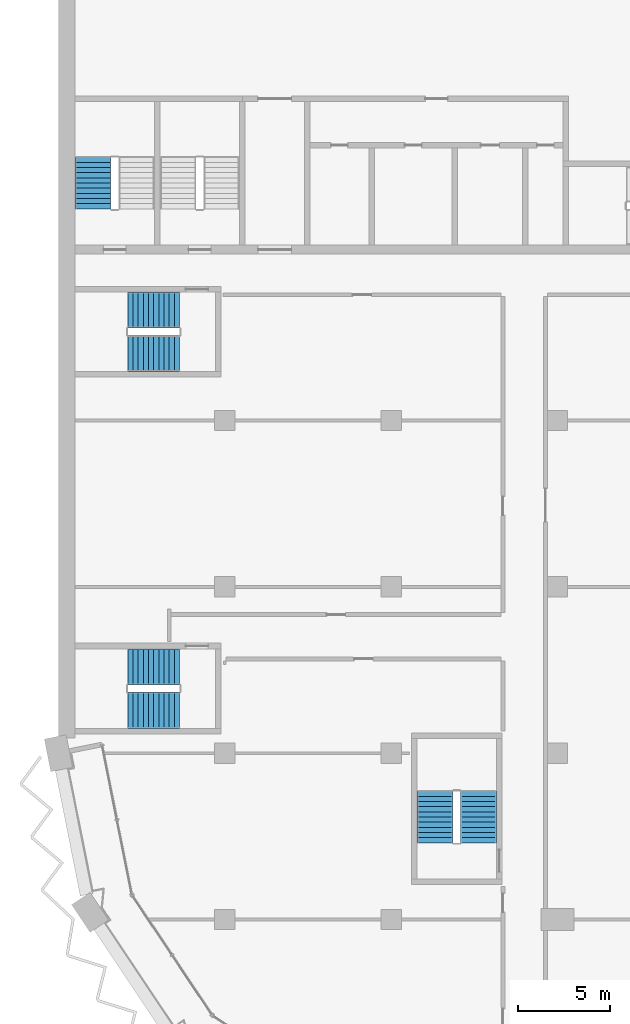
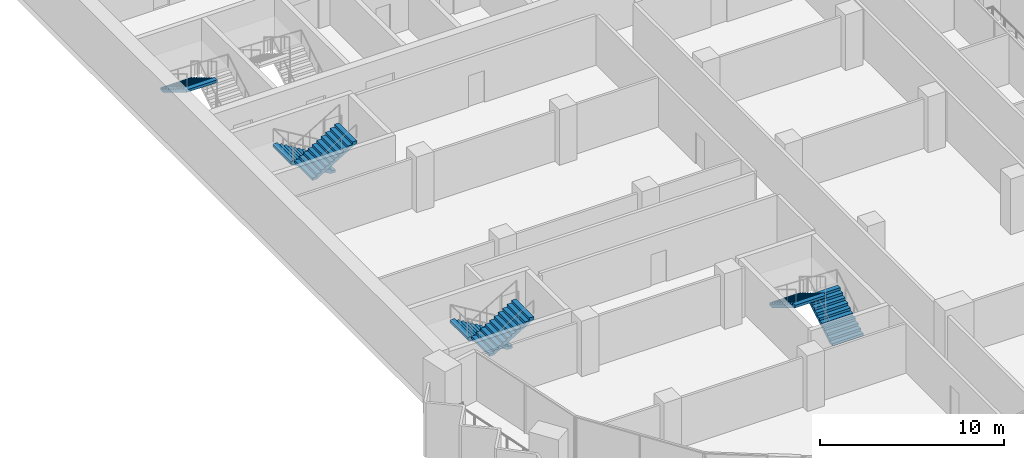
# One storey, part 11 of 17: 7 stair flights, 4 elements without a shape of their own.
"""IFC4 building model written with IfcOpenShell, lengths in metres."""

from ifc_helpers import new_model, si_unit, direction, frame, origin, place, context, subcontext, project, spatial, polyline, outline, extrude, material, type_object, element, aggregate, save


model = new_model("IFC4")

# Units and contexts
model_context = context("Model", 3, precision=1e-05, world=origin(), true_north=direction((0.0, 1.0)))
body_context = subcontext(model_context, "Body", "Model", "MODEL_VIEW")
ifc_project = project(units=[si_unit("LENGTHUNIT", "METRE"), si_unit("AREAUNIT", "SQUARE_METRE"), si_unit("VOLUMEUNIT", "CUBIC_METRE"), si_unit("PLANEANGLEUNIT", "RADIAN"), si_unit("MASSUNIT", "GRAM", prefix="KILO")], contexts=[model_context])

# Site, building, storey
site_placement = place(None, origin())
site = spatial("IfcSite", under=ifc_project, at=site_placement, CompositionType="ELEMENT")
building_placement = place(site_placement, origin())
building = spatial("IfcBuilding", under=site, at=building_placement, Name="Hunhe Ridgeline Campus", CompositionType="ELEMENT")
storey_placement = place(building_placement, frame((0.0, 0.0, 193.89990234375)))
storey = spatial("IfcBuildingStorey", under=building, at=storey_placement, Name="L49", CompositionType="ELEMENT", Elevation=193.89990234375)

# Stair, stair flight
ifc_material = material(Name="Concrete C40", Category="concrete")
stair_type = type_object("IfcStairType", Name="Reinforced concrete dog-leg stair 1950 Concrete C40", PredefinedType="HALF_TURN_STAIR", material=ifc_material)
stair_1_placement = place(storey_placement, origin())
stair_1 = element("IfcStair", 1, at=stair_1_placement, inside=storey, type_object=stair_type, Name="L49 S3", PredefinedType="HALF_TURN_STAIR")
stair_flight_type = type_object("IfcStairFlightType", Name="Reinforced concrete stair flight 1950 Concrete C40", PredefinedType="STRAIGHT", material=ifc_material)
stair_flight_1_placement = place(storey_placement, frame((1.875, 68.25, 1.85009765625), z_axis=(0.0, 0.0, 1.0), x_axis=(0.0, -1.0, 0.0)))
stair_flight_1 = element("IfcStairFlight", 2, at=stair_flight_1_placement, type_object=stair_flight_type, Name="ST3 flight 2", NumberOfRisers=11, NumberOfTreads=10, PredefinedType="STRAIGHT", RiserHeight=0.168181818, TreadLength=0.28, context=body_context, shape_type="SweptSolid", body=[
    extrude(outline(polyline([(0.0, 0.0), (0.0, 0.168212890625), (0.280029296875, 0.168212890625), (0.280029296875, 0.33642578125), (0.56005859375, 0.33642578125), (0.56005859375, 0.504638671875), (0.840087890625, 0.504638671875), (0.840087890625, 0.672607421875), (1.1201171875, 0.672607421875), (1.1201171875, 0.8408203125), (1.39990234375, 0.8408203125), (1.39990234375, 1.009033203125), (1.679931640625, 1.009033203125), (1.679931640625, 1.17724609375), (1.9599609375, 1.17724609375), (1.9599609375, 1.345458984375), (2.239990234375, 1.345458984375), (2.239990234375, 1.513671875), (2.52001953125, 1.513671875), (2.52001953125, 1.681884765625), (2.800048828125, 1.681884765625), (2.800048828125, 1.85009765625), (2.800048828125, 1.5068359375), (0.291015625, 0.0), (0.0, 0.0)])), frame((0.0, 0.97509765625, 0.0), z_axis=(0.0, -1.0, 0.0), x_axis=(1.0, 0.0, 0.0)), (0.0, 0.0, 1.0), 1.949951171875),
    extrude(outline(polyline([(0.030029296875, 0.030029296875), (0.030029296875, 0.13818359375), (0.31005859375, 0.13818359375), (0.31005859375, 0.306396484375), (0.590087890625, 0.306396484375), (0.590087890625, 0.474609375), (0.8701171875, 0.474609375), (0.8701171875, 0.642578125), (1.14990234375, 0.642578125), (1.14990234375, 0.810791015625), (1.429931640625, 0.810791015625), (1.429931640625, 0.97900390625), (1.7099609375, 0.97900390625), (1.7099609375, 1.147216796875), (1.989990234375, 1.147216796875), (1.989990234375, 1.3154296875), (2.27001953125, 1.3154296875), (2.27001953125, 1.483642578125), (2.550048828125, 1.483642578125), (2.550048828125, 1.65185546875), (2.77001953125, 1.65185546875), (2.77001953125, 1.52392578125), (0.28271484375, 0.030029296875), (0.030029296875, 0.030029296875)])), frame((0.0, -0.070068359375, 0.0), z_axis=(0.0, -1.0, 0.0), x_axis=(1.0, 0.0, 0.0)), (0.0, 0.0, 1.0), 0.019775390625),
    extrude(outline(polyline([(0.030029296875, 0.030029296875), (0.030029296875, 0.13818359375), (0.31005859375, 0.13818359375), (0.31005859375, 0.306396484375), (0.590087890625, 0.306396484375), (0.590087890625, 0.474609375), (0.8701171875, 0.474609375), (0.8701171875, 0.642578125), (1.14990234375, 0.642578125), (1.14990234375, 0.810791015625), (1.429931640625, 0.810791015625), (1.429931640625, 0.97900390625), (1.7099609375, 0.97900390625), (1.7099609375, 1.147216796875), (1.989990234375, 1.147216796875), (1.989990234375, 1.3154296875), (2.27001953125, 1.3154296875), (2.27001953125, 1.483642578125), (2.550048828125, 1.483642578125), (2.550048828125, 1.65185546875), (2.77001953125, 1.65185546875), (2.77001953125, 1.52392578125), (0.28271484375, 0.030029296875), (0.030029296875, 0.030029296875)])), frame((0.0, 0.010009765625, 0.0), z_axis=(0.0, -1.0, 0.0), x_axis=(1.0, 0.0, 0.0)), (0.0, 0.0, 1.0), 0.019775390625),
    extrude(outline(polyline([(0.030029296875, 0.030029296875), (0.030029296875, 0.13818359375), (0.31005859375, 0.13818359375), (0.31005859375, 0.306396484375), (0.590087890625, 0.306396484375), (0.590087890625, 0.474609375), (0.8701171875, 0.474609375), (0.8701171875, 0.642578125), (1.14990234375, 0.642578125), (1.14990234375, 0.810791015625), (1.429931640625, 0.810791015625), (1.429931640625, 0.97900390625), (1.7099609375, 0.97900390625), (1.7099609375, 1.147216796875), (1.989990234375, 1.147216796875), (1.989990234375, 1.3154296875), (2.27001953125, 1.3154296875), (2.27001953125, 1.483642578125), (2.550048828125, 1.483642578125), (2.550048828125, 1.65185546875), (2.77001953125, 1.65185546875), (2.77001953125, 1.52392578125), (0.28271484375, 0.030029296875), (0.030029296875, 0.030029296875)])), frame((0.0, 0.090087890625, 0.0), z_axis=(0.0, -1.0, 0.0), x_axis=(1.0, 0.0, 0.0)), (0.0, 0.0, 1.0), 0.019775390625),
])
aggregate(stair_1, [stair_flight_1])

# Stair, stair flights
stair_2_placement = place(storey_placement, origin())
stair_2 = element("IfcStair", 3, at=stair_2_placement, inside=storey, type_object=stair_type, Name="L49 W3", PredefinedType="HALF_TURN_STAIR")
stair_flight_2_placement = place(storey_placement, frame((22.72509765625, 31.14990234375, 0.0), z_axis=(0.0, 0.0, 1.0), x_axis=(0.0, 1.0, 0.0)))
stair_flight_2 = element("IfcStairFlight", 4, at=stair_flight_2_placement, type_object=stair_flight_type, Name="ST9 flight 1", NumberOfRisers=11, NumberOfTreads=10, PredefinedType="STRAIGHT", RiserHeight=0.168181818, TreadLength=0.28, context=body_context, shape_type="SweptSolid", body=[
    extrude(outline(polyline([(0.0, 0.0), (0.0, 0.168212890625), (0.280029296875, 0.168212890625), (0.280029296875, 0.33642578125), (0.56005859375, 0.33642578125), (0.56005859375, 0.504638671875), (0.840087890625, 0.504638671875), (0.840087890625, 0.672607421875), (1.1201171875, 0.672607421875), (1.1201171875, 0.8408203125), (1.39990234375, 0.8408203125), (1.39990234375, 1.009033203125), (1.679931640625, 1.009033203125), (1.679931640625, 1.17724609375), (1.9599609375, 1.17724609375), (1.9599609375, 1.345458984375), (2.239990234375, 1.345458984375), (2.239990234375, 1.513671875), (2.52001953125, 1.513671875), (2.52001953125, 1.681884765625), (2.800048828125, 1.681884765625), (2.800048828125, 1.85009765625), (2.800048828125, 1.5068359375), (0.291015625, 0.0), (0.0, 0.0)])), frame((0.0, 0.97509765625, 0.0), z_axis=(0.0, -1.0, 0.0), x_axis=(1.0, 0.0, 0.0)), (0.0, 0.0, 1.0), 1.949951171875),
    extrude(outline(polyline([(0.030029296875, 0.030029296875), (0.030029296875, 0.13818359375), (0.31005859375, 0.13818359375), (0.31005859375, 0.306396484375), (0.590087890625, 0.306396484375), (0.590087890625, 0.474609375), (0.8701171875, 0.474609375), (0.8701171875, 0.642578125), (1.14990234375, 0.642578125), (1.14990234375, 0.810791015625), (1.429931640625, 0.810791015625), (1.429931640625, 0.97900390625), (1.7099609375, 0.97900390625), (1.7099609375, 1.147216796875), (1.989990234375, 1.147216796875), (1.989990234375, 1.3154296875), (2.27001953125, 1.3154296875), (2.27001953125, 1.483642578125), (2.550048828125, 1.483642578125), (2.550048828125, 1.65185546875), (2.77001953125, 1.65185546875), (2.77001953125, 1.52392578125), (0.28271484375, 0.030029296875), (0.030029296875, 0.030029296875)])), frame((0.0, -0.070068359375, 0.0), z_axis=(0.0, -1.0, 0.0), x_axis=(1.0, 0.0, 0.0)), (0.0, 0.0, 1.0), 0.019775390625),
    extrude(outline(polyline([(0.030029296875, 0.030029296875), (0.030029296875, 0.13818359375), (0.31005859375, 0.13818359375), (0.31005859375, 0.306396484375), (0.590087890625, 0.306396484375), (0.590087890625, 0.474609375), (0.8701171875, 0.474609375), (0.8701171875, 0.642578125), (1.14990234375, 0.642578125), (1.14990234375, 0.810791015625), (1.429931640625, 0.810791015625), (1.429931640625, 0.97900390625), (1.7099609375, 0.97900390625), (1.7099609375, 1.147216796875), (1.989990234375, 1.147216796875), (1.989990234375, 1.3154296875), (2.27001953125, 1.3154296875), (2.27001953125, 1.483642578125), (2.550048828125, 1.483642578125), (2.550048828125, 1.65185546875), (2.77001953125, 1.65185546875), (2.77001953125, 1.52392578125), (0.28271484375, 0.030029296875), (0.030029296875, 0.030029296875)])), frame((0.0, 0.010009765625, 0.0), z_axis=(0.0, -1.0, 0.0), x_axis=(1.0, 0.0, 0.0)), (0.0, 0.0, 1.0), 0.019775390625),
    extrude(outline(polyline([(0.030029296875, 0.030029296875), (0.030029296875, 0.13818359375), (0.31005859375, 0.13818359375), (0.31005859375, 0.306396484375), (0.590087890625, 0.306396484375), (0.590087890625, 0.474609375), (0.8701171875, 0.474609375), (0.8701171875, 0.642578125), (1.14990234375, 0.642578125), (1.14990234375, 0.810791015625), (1.429931640625, 0.810791015625), (1.429931640625, 0.97900390625), (1.7099609375, 0.97900390625), (1.7099609375, 1.147216796875), (1.989990234375, 1.147216796875), (1.989990234375, 1.3154296875), (2.27001953125, 1.3154296875), (2.27001953125, 1.483642578125), (2.550048828125, 1.483642578125), (2.550048828125, 1.65185546875), (2.77001953125, 1.65185546875), (2.77001953125, 1.52392578125), (0.28271484375, 0.030029296875), (0.030029296875, 0.030029296875)])), frame((0.0, 0.090087890625, 0.0), z_axis=(0.0, -1.0, 0.0), x_axis=(1.0, 0.0, 0.0)), (0.0, 0.0, 1.0), 0.019775390625),
])
stair_flight_3_placement = place(storey_placement, frame((20.375, 33.949951171875, 1.85009765625), z_axis=(0.0, 0.0, 1.0), x_axis=(0.0, -1.0, 0.0)))
stair_flight_3 = element("IfcStairFlight", 5, at=stair_flight_3_placement, type_object=stair_flight_type, Name="ST9 flight 2", NumberOfRisers=11, NumberOfTreads=10, PredefinedType="STRAIGHT", RiserHeight=0.168181818, TreadLength=0.28, context=body_context, shape_type="SweptSolid", body=[
    extrude(outline(polyline([(0.0, 0.0), (0.0, 0.168212890625), (0.280029296875, 0.168212890625), (0.280029296875, 0.33642578125), (0.56005859375, 0.33642578125), (0.56005859375, 0.504638671875), (0.840087890625, 0.504638671875), (0.840087890625, 0.672607421875), (1.1201171875, 0.672607421875), (1.1201171875, 0.8408203125), (1.39990234375, 0.8408203125), (1.39990234375, 1.009033203125), (1.679931640625, 1.009033203125), (1.679931640625, 1.17724609375), (1.9599609375, 1.17724609375), (1.9599609375, 1.345458984375), (2.239990234375, 1.345458984375), (2.239990234375, 1.513671875), (2.52001953125, 1.513671875), (2.52001953125, 1.681884765625), (2.800048828125, 1.681884765625), (2.800048828125, 1.85009765625), (2.800048828125, 1.5068359375), (0.291015625, 0.0), (0.0, 0.0)])), frame((0.0, 0.97509765625, 0.0), z_axis=(0.0, -1.0, 0.0), x_axis=(1.0, 0.0, 0.0)), (0.0, 0.0, 1.0), 1.949951171875),
    extrude(outline(polyline([(0.030029296875, 0.030029296875), (0.030029296875, 0.13818359375), (0.31005859375, 0.13818359375), (0.31005859375, 0.306396484375), (0.590087890625, 0.306396484375), (0.590087890625, 0.474609375), (0.8701171875, 0.474609375), (0.8701171875, 0.642578125), (1.14990234375, 0.642578125), (1.14990234375, 0.810791015625), (1.429931640625, 0.810791015625), (1.429931640625, 0.97900390625), (1.7099609375, 0.97900390625), (1.7099609375, 1.147216796875), (1.989990234375, 1.147216796875), (1.989990234375, 1.3154296875), (2.27001953125, 1.3154296875), (2.27001953125, 1.483642578125), (2.550048828125, 1.483642578125), (2.550048828125, 1.65185546875), (2.77001953125, 1.65185546875), (2.77001953125, 1.52392578125), (0.28271484375, 0.030029296875), (0.030029296875, 0.030029296875)])), frame((0.0, -0.070068359375, 0.0), z_axis=(0.0, -1.0, 0.0), x_axis=(1.0, 0.0, 0.0)), (0.0, 0.0, 1.0), 0.019775390625),
    extrude(outline(polyline([(0.030029296875, 0.030029296875), (0.030029296875, 0.13818359375), (0.31005859375, 0.13818359375), (0.31005859375, 0.306396484375), (0.590087890625, 0.306396484375), (0.590087890625, 0.474609375), (0.8701171875, 0.474609375), (0.8701171875, 0.642578125), (1.14990234375, 0.642578125), (1.14990234375, 0.810791015625), (1.429931640625, 0.810791015625), (1.429931640625, 0.97900390625), (1.7099609375, 0.97900390625), (1.7099609375, 1.147216796875), (1.989990234375, 1.147216796875), (1.989990234375, 1.3154296875), (2.27001953125, 1.3154296875), (2.27001953125, 1.483642578125), (2.550048828125, 1.483642578125), (2.550048828125, 1.65185546875), (2.77001953125, 1.65185546875), (2.77001953125, 1.52392578125), (0.28271484375, 0.030029296875), (0.030029296875, 0.030029296875)])), frame((0.0, 0.010009765625, 0.0), z_axis=(0.0, -1.0, 0.0), x_axis=(1.0, 0.0, 0.0)), (0.0, 0.0, 1.0), 0.019775390625),
    extrude(outline(polyline([(0.030029296875, 0.030029296875), (0.030029296875, 0.13818359375), (0.31005859375, 0.13818359375), (0.31005859375, 0.306396484375), (0.590087890625, 0.306396484375), (0.590087890625, 0.474609375), (0.8701171875, 0.474609375), (0.8701171875, 0.642578125), (1.14990234375, 0.642578125), (1.14990234375, 0.810791015625), (1.429931640625, 0.810791015625), (1.429931640625, 0.97900390625), (1.7099609375, 0.97900390625), (1.7099609375, 1.147216796875), (1.989990234375, 1.147216796875), (1.989990234375, 1.3154296875), (2.27001953125, 1.3154296875), (2.27001953125, 1.483642578125), (2.550048828125, 1.483642578125), (2.550048828125, 1.65185546875), (2.77001953125, 1.65185546875), (2.77001953125, 1.52392578125), (0.28271484375, 0.030029296875), (0.030029296875, 0.030029296875)])), frame((0.0, 0.090087890625, 0.0), z_axis=(0.0, -1.0, 0.0), x_axis=(1.0, 0.0, 0.0)), (0.0, 0.0, 1.0), 0.019775390625),
])
aggregate(stair_2, [stair_flight_2, stair_flight_3])

stair_3_placement = place(storey_placement, origin())
stair_3 = element("IfcStair", 6, at=stair_3_placement, inside=storey, type_object=stair_type, Name="L49 W1", PredefinedType="HALF_TURN_STAIR")
stair_flight_4_placement = place(storey_placement, frame((6.550048828125, 40.675048828125, 0.0), z_axis=(0.0, 0.0, 1.0), x_axis=(-1.0, 0.0, 0.0)))
stair_flight_4 = element("IfcStairFlight", 7, at=stair_flight_4_placement, type_object=stair_flight_type, Name="ST11 flight 1", NumberOfRisers=11, NumberOfTreads=10, PredefinedType="STRAIGHT", RiserHeight=0.168181818, TreadLength=0.28, context=body_context, shape_type="SweptSolid", body=[
    extrude(outline(polyline([(0.0, 0.0), (0.0, 0.168212890625), (0.280029296875, 0.168212890625), (0.280029296875, 0.33642578125), (0.56005859375, 0.33642578125), (0.56005859375, 0.504638671875), (0.840087890625, 0.504638671875), (0.840087890625, 0.672607421875), (1.1201171875, 0.672607421875), (1.1201171875, 0.8408203125), (1.39990234375, 0.8408203125), (1.39990234375, 1.009033203125), (1.679931640625, 1.009033203125), (1.679931640625, 1.17724609375), (1.9599609375, 1.17724609375), (1.9599609375, 1.345458984375), (2.239990234375, 1.345458984375), (2.239990234375, 1.513671875), (2.52001953125, 1.513671875), (2.52001953125, 1.681884765625), (2.800048828125, 1.681884765625), (2.800048828125, 1.85009765625), (2.800048828125, 1.5068359375), (0.291015625, 0.0), (0.0, 0.0)])), frame((0.0, 0.97509765625, 0.0), z_axis=(0.0, -1.0, 0.0), x_axis=(1.0, 0.0, 0.0)), (0.0, 0.0, 1.0), 1.949951171875),
    extrude(outline(polyline([(0.030029296875, 0.030029296875), (0.030029296875, 0.13818359375), (0.31005859375, 0.13818359375), (0.31005859375, 0.306396484375), (0.590087890625, 0.306396484375), (0.590087890625, 0.474609375), (0.8701171875, 0.474609375), (0.8701171875, 0.642578125), (1.14990234375, 0.642578125), (1.14990234375, 0.810791015625), (1.429931640625, 0.810791015625), (1.429931640625, 0.97900390625), (1.7099609375, 0.97900390625), (1.7099609375, 1.147216796875), (1.989990234375, 1.147216796875), (1.989990234375, 1.3154296875), (2.27001953125, 1.3154296875), (2.27001953125, 1.483642578125), (2.550048828125, 1.483642578125), (2.550048828125, 1.65185546875), (2.77001953125, 1.65185546875), (2.77001953125, 1.52392578125), (0.28271484375, 0.030029296875), (0.030029296875, 0.030029296875)])), frame((0.0, -0.070068359375, 0.0), z_axis=(0.0, -1.0, 0.0), x_axis=(1.0, 0.0, 0.0)), (0.0, 0.0, 1.0), 0.019775390625),
    extrude(outline(polyline([(0.030029296875, 0.030029296875), (0.030029296875, 0.13818359375), (0.31005859375, 0.13818359375), (0.31005859375, 0.306396484375), (0.590087890625, 0.306396484375), (0.590087890625, 0.474609375), (0.8701171875, 0.474609375), (0.8701171875, 0.642578125), (1.14990234375, 0.642578125), (1.14990234375, 0.810791015625), (1.429931640625, 0.810791015625), (1.429931640625, 0.97900390625), (1.7099609375, 0.97900390625), (1.7099609375, 1.147216796875), (1.989990234375, 1.147216796875), (1.989990234375, 1.3154296875), (2.27001953125, 1.3154296875), (2.27001953125, 1.483642578125), (2.550048828125, 1.483642578125), (2.550048828125, 1.65185546875), (2.77001953125, 1.65185546875), (2.77001953125, 1.52392578125), (0.28271484375, 0.030029296875), (0.030029296875, 0.030029296875)])), frame((0.0, 0.010009765625, 0.0), z_axis=(0.0, -1.0, 0.0), x_axis=(1.0, 0.0, 0.0)), (0.0, 0.0, 1.0), 0.019775390625),
    extrude(outline(polyline([(0.030029296875, 0.030029296875), (0.030029296875, 0.13818359375), (0.31005859375, 0.13818359375), (0.31005859375, 0.306396484375), (0.590087890625, 0.306396484375), (0.590087890625, 0.474609375), (0.8701171875, 0.474609375), (0.8701171875, 0.642578125), (1.14990234375, 0.642578125), (1.14990234375, 0.810791015625), (1.429931640625, 0.810791015625), (1.429931640625, 0.97900390625), (1.7099609375, 0.97900390625), (1.7099609375, 1.147216796875), (1.989990234375, 1.147216796875), (1.989990234375, 1.3154296875), (2.27001953125, 1.3154296875), (2.27001953125, 1.483642578125), (2.550048828125, 1.483642578125), (2.550048828125, 1.65185546875), (2.77001953125, 1.65185546875), (2.77001953125, 1.52392578125), (0.28271484375, 0.030029296875), (0.030029296875, 0.030029296875)])), frame((0.0, 0.090087890625, 0.0), z_axis=(0.0, -1.0, 0.0), x_axis=(1.0, 0.0, 0.0)), (0.0, 0.0, 1.0), 0.019775390625),
])
stair_flight_5_placement = place(storey_placement, frame((3.75, 38.324951171875, 1.85009765625), z_axis=(0.0, 0.0, 1.0), x_axis=(1.0, 0.0, 0.0)))
stair_flight_5 = element("IfcStairFlight", 8, at=stair_flight_5_placement, type_object=stair_flight_type, Name="ST11 flight 2", NumberOfRisers=11, NumberOfTreads=10, PredefinedType="STRAIGHT", RiserHeight=0.168181818, TreadLength=0.28, context=body_context, shape_type="SweptSolid", body=[
    extrude(outline(polyline([(0.0, 0.0), (0.0, 0.168212890625), (0.280029296875, 0.168212890625), (0.280029296875, 0.33642578125), (0.56005859375, 0.33642578125), (0.56005859375, 0.504638671875), (0.840087890625, 0.504638671875), (0.840087890625, 0.672607421875), (1.1201171875, 0.672607421875), (1.1201171875, 0.8408203125), (1.39990234375, 0.8408203125), (1.39990234375, 1.009033203125), (1.679931640625, 1.009033203125), (1.679931640625, 1.17724609375), (1.9599609375, 1.17724609375), (1.9599609375, 1.345458984375), (2.239990234375, 1.345458984375), (2.239990234375, 1.513671875), (2.52001953125, 1.513671875), (2.52001953125, 1.681884765625), (2.800048828125, 1.681884765625), (2.800048828125, 1.85009765625), (2.800048828125, 1.5068359375), (0.291015625, 0.0), (0.0, 0.0)])), frame((0.0, 0.97509765625, 0.0), z_axis=(0.0, -1.0, 0.0), x_axis=(1.0, 0.0, 0.0)), (0.0, 0.0, 1.0), 1.949951171875),
    extrude(outline(polyline([(0.030029296875, 0.030029296875), (0.030029296875, 0.13818359375), (0.31005859375, 0.13818359375), (0.31005859375, 0.306396484375), (0.590087890625, 0.306396484375), (0.590087890625, 0.474609375), (0.8701171875, 0.474609375), (0.8701171875, 0.642578125), (1.14990234375, 0.642578125), (1.14990234375, 0.810791015625), (1.429931640625, 0.810791015625), (1.429931640625, 0.97900390625), (1.7099609375, 0.97900390625), (1.7099609375, 1.147216796875), (1.989990234375, 1.147216796875), (1.989990234375, 1.3154296875), (2.27001953125, 1.3154296875), (2.27001953125, 1.483642578125), (2.550048828125, 1.483642578125), (2.550048828125, 1.65185546875), (2.77001953125, 1.65185546875), (2.77001953125, 1.52392578125), (0.28271484375, 0.030029296875), (0.030029296875, 0.030029296875)])), frame((0.0, -0.070068359375, 0.0), z_axis=(0.0, -1.0, 0.0), x_axis=(1.0, 0.0, 0.0)), (0.0, 0.0, 1.0), 0.019775390625),
    extrude(outline(polyline([(0.030029296875, 0.030029296875), (0.030029296875, 0.13818359375), (0.31005859375, 0.13818359375), (0.31005859375, 0.306396484375), (0.590087890625, 0.306396484375), (0.590087890625, 0.474609375), (0.8701171875, 0.474609375), (0.8701171875, 0.642578125), (1.14990234375, 0.642578125), (1.14990234375, 0.810791015625), (1.429931640625, 0.810791015625), (1.429931640625, 0.97900390625), (1.7099609375, 0.97900390625), (1.7099609375, 1.147216796875), (1.989990234375, 1.147216796875), (1.989990234375, 1.3154296875), (2.27001953125, 1.3154296875), (2.27001953125, 1.483642578125), (2.550048828125, 1.483642578125), (2.550048828125, 1.65185546875), (2.77001953125, 1.65185546875), (2.77001953125, 1.52392578125), (0.28271484375, 0.030029296875), (0.030029296875, 0.030029296875)])), frame((0.0, 0.010009765625, 0.0), z_axis=(0.0, -1.0, 0.0), x_axis=(1.0, 0.0, 0.0)), (0.0, 0.0, 1.0), 0.019775390625),
    extrude(outline(polyline([(0.030029296875, 0.030029296875), (0.030029296875, 0.13818359375), (0.31005859375, 0.13818359375), (0.31005859375, 0.306396484375), (0.590087890625, 0.306396484375), (0.590087890625, 0.474609375), (0.8701171875, 0.474609375), (0.8701171875, 0.642578125), (1.14990234375, 0.642578125), (1.14990234375, 0.810791015625), (1.429931640625, 0.810791015625), (1.429931640625, 0.97900390625), (1.7099609375, 0.97900390625), (1.7099609375, 1.147216796875), (1.989990234375, 1.147216796875), (1.989990234375, 1.3154296875), (2.27001953125, 1.3154296875), (2.27001953125, 1.483642578125), (2.550048828125, 1.483642578125), (2.550048828125, 1.65185546875), (2.77001953125, 1.65185546875), (2.77001953125, 1.52392578125), (0.28271484375, 0.030029296875), (0.030029296875, 0.030029296875)])), frame((0.0, 0.090087890625, 0.0), z_axis=(0.0, -1.0, 0.0), x_axis=(1.0, 0.0, 0.0)), (0.0, 0.0, 1.0), 0.019775390625),
])
aggregate(stair_3, [stair_flight_4, stair_flight_5])

stair_4_placement = place(storey_placement, origin())
stair_4 = element("IfcStair", 9, at=stair_4_placement, inside=storey, type_object=stair_type, Name="L49 W2", PredefinedType="HALF_TURN_STAIR")
stair_flight_6_placement = place(storey_placement, frame((6.550048828125, 59.97509765625, 0.0), z_axis=(0.0, 0.0, 1.0), x_axis=(-1.0, 0.0, 0.0)))
stair_flight_6 = element("IfcStairFlight", 10, at=stair_flight_6_placement, type_object=stair_flight_type, Name="ST12 flight 1", NumberOfRisers=11, NumberOfTreads=10, PredefinedType="STRAIGHT", RiserHeight=0.168181818, TreadLength=0.28, context=body_context, shape_type="SweptSolid", body=[
    extrude(outline(polyline([(0.0, 0.0), (0.0, 0.168212890625), (0.280029296875, 0.168212890625), (0.280029296875, 0.33642578125), (0.56005859375, 0.33642578125), (0.56005859375, 0.504638671875), (0.840087890625, 0.504638671875), (0.840087890625, 0.672607421875), (1.1201171875, 0.672607421875), (1.1201171875, 0.8408203125), (1.39990234375, 0.8408203125), (1.39990234375, 1.009033203125), (1.679931640625, 1.009033203125), (1.679931640625, 1.17724609375), (1.9599609375, 1.17724609375), (1.9599609375, 1.345458984375), (2.239990234375, 1.345458984375), (2.239990234375, 1.513671875), (2.52001953125, 1.513671875), (2.52001953125, 1.681884765625), (2.800048828125, 1.681884765625), (2.800048828125, 1.85009765625), (2.800048828125, 1.5068359375), (0.291015625, 0.0), (0.0, 0.0)])), frame((0.0, 0.97509765625, 0.0), z_axis=(0.0, -1.0, 0.0), x_axis=(1.0, 0.0, 0.0)), (0.0, 0.0, 1.0), 1.949951171875),
    extrude(outline(polyline([(0.030029296875, 0.030029296875), (0.030029296875, 0.13818359375), (0.31005859375, 0.13818359375), (0.31005859375, 0.306396484375), (0.590087890625, 0.306396484375), (0.590087890625, 0.474609375), (0.8701171875, 0.474609375), (0.8701171875, 0.642578125), (1.14990234375, 0.642578125), (1.14990234375, 0.810791015625), (1.429931640625, 0.810791015625), (1.429931640625, 0.97900390625), (1.7099609375, 0.97900390625), (1.7099609375, 1.147216796875), (1.989990234375, 1.147216796875), (1.989990234375, 1.3154296875), (2.27001953125, 1.3154296875), (2.27001953125, 1.483642578125), (2.550048828125, 1.483642578125), (2.550048828125, 1.65185546875), (2.77001953125, 1.65185546875), (2.77001953125, 1.52392578125), (0.28271484375, 0.030029296875), (0.030029296875, 0.030029296875)])), frame((0.0, -0.070068359375, 0.0), z_axis=(0.0, -1.0, 0.0), x_axis=(1.0, 0.0, 0.0)), (0.0, 0.0, 1.0), 0.019775390625),
    extrude(outline(polyline([(0.030029296875, 0.030029296875), (0.030029296875, 0.13818359375), (0.31005859375, 0.13818359375), (0.31005859375, 0.306396484375), (0.590087890625, 0.306396484375), (0.590087890625, 0.474609375), (0.8701171875, 0.474609375), (0.8701171875, 0.642578125), (1.14990234375, 0.642578125), (1.14990234375, 0.810791015625), (1.429931640625, 0.810791015625), (1.429931640625, 0.97900390625), (1.7099609375, 0.97900390625), (1.7099609375, 1.147216796875), (1.989990234375, 1.147216796875), (1.989990234375, 1.3154296875), (2.27001953125, 1.3154296875), (2.27001953125, 1.483642578125), (2.550048828125, 1.483642578125), (2.550048828125, 1.65185546875), (2.77001953125, 1.65185546875), (2.77001953125, 1.52392578125), (0.28271484375, 0.030029296875), (0.030029296875, 0.030029296875)])), frame((0.0, 0.010009765625, 0.0), z_axis=(0.0, -1.0, 0.0), x_axis=(1.0, 0.0, 0.0)), (0.0, 0.0, 1.0), 0.019775390625),
    extrude(outline(polyline([(0.030029296875, 0.030029296875), (0.030029296875, 0.13818359375), (0.31005859375, 0.13818359375), (0.31005859375, 0.306396484375), (0.590087890625, 0.306396484375), (0.590087890625, 0.474609375), (0.8701171875, 0.474609375), (0.8701171875, 0.642578125), (1.14990234375, 0.642578125), (1.14990234375, 0.810791015625), (1.429931640625, 0.810791015625), (1.429931640625, 0.97900390625), (1.7099609375, 0.97900390625), (1.7099609375, 1.147216796875), (1.989990234375, 1.147216796875), (1.989990234375, 1.3154296875), (2.27001953125, 1.3154296875), (2.27001953125, 1.483642578125), (2.550048828125, 1.483642578125), (2.550048828125, 1.65185546875), (2.77001953125, 1.65185546875), (2.77001953125, 1.52392578125), (0.28271484375, 0.030029296875), (0.030029296875, 0.030029296875)])), frame((0.0, 0.090087890625, 0.0), z_axis=(0.0, -1.0, 0.0), x_axis=(1.0, 0.0, 0.0)), (0.0, 0.0, 1.0), 0.019775390625),
])
stair_flight_7_placement = place(storey_placement, frame((3.75, 57.625, 1.85009765625), z_axis=(0.0, 0.0, 1.0), x_axis=(1.0, 0.0, 0.0)))
stair_flight_7 = element("IfcStairFlight", 11, at=stair_flight_7_placement, type_object=stair_flight_type, Name="ST12 flight 2", NumberOfRisers=11, NumberOfTreads=10, PredefinedType="STRAIGHT", RiserHeight=0.168181818, TreadLength=0.28, context=body_context, shape_type="SweptSolid", body=[
    extrude(outline(polyline([(0.0, 0.0), (0.0, 0.168212890625), (0.280029296875, 0.168212890625), (0.280029296875, 0.33642578125), (0.56005859375, 0.33642578125), (0.56005859375, 0.504638671875), (0.840087890625, 0.504638671875), (0.840087890625, 0.672607421875), (1.1201171875, 0.672607421875), (1.1201171875, 0.8408203125), (1.39990234375, 0.8408203125), (1.39990234375, 1.009033203125), (1.679931640625, 1.009033203125), (1.679931640625, 1.17724609375), (1.9599609375, 1.17724609375), (1.9599609375, 1.345458984375), (2.239990234375, 1.345458984375), (2.239990234375, 1.513671875), (2.52001953125, 1.513671875), (2.52001953125, 1.681884765625), (2.800048828125, 1.681884765625), (2.800048828125, 1.85009765625), (2.800048828125, 1.5068359375), (0.291015625, 0.0), (0.0, 0.0)])), frame((0.0, 0.97509765625, 0.0), z_axis=(0.0, -1.0, 0.0), x_axis=(1.0, 0.0, 0.0)), (0.0, 0.0, 1.0), 1.949951171875),
    extrude(outline(polyline([(0.030029296875, 0.030029296875), (0.030029296875, 0.13818359375), (0.31005859375, 0.13818359375), (0.31005859375, 0.306396484375), (0.590087890625, 0.306396484375), (0.590087890625, 0.474609375), (0.8701171875, 0.474609375), (0.8701171875, 0.642578125), (1.14990234375, 0.642578125), (1.14990234375, 0.810791015625), (1.429931640625, 0.810791015625), (1.429931640625, 0.97900390625), (1.7099609375, 0.97900390625), (1.7099609375, 1.147216796875), (1.989990234375, 1.147216796875), (1.989990234375, 1.3154296875), (2.27001953125, 1.3154296875), (2.27001953125, 1.483642578125), (2.550048828125, 1.483642578125), (2.550048828125, 1.65185546875), (2.77001953125, 1.65185546875), (2.77001953125, 1.52392578125), (0.28271484375, 0.030029296875), (0.030029296875, 0.030029296875)])), frame((0.0, -0.070068359375, 0.0), z_axis=(0.0, -1.0, 0.0), x_axis=(1.0, 0.0, 0.0)), (0.0, 0.0, 1.0), 0.019775390625),
    extrude(outline(polyline([(0.030029296875, 0.030029296875), (0.030029296875, 0.13818359375), (0.31005859375, 0.13818359375), (0.31005859375, 0.306396484375), (0.590087890625, 0.306396484375), (0.590087890625, 0.474609375), (0.8701171875, 0.474609375), (0.8701171875, 0.642578125), (1.14990234375, 0.642578125), (1.14990234375, 0.810791015625), (1.429931640625, 0.810791015625), (1.429931640625, 0.97900390625), (1.7099609375, 0.97900390625), (1.7099609375, 1.147216796875), (1.989990234375, 1.147216796875), (1.989990234375, 1.3154296875), (2.27001953125, 1.3154296875), (2.27001953125, 1.483642578125), (2.550048828125, 1.483642578125), (2.550048828125, 1.65185546875), (2.77001953125, 1.65185546875), (2.77001953125, 1.52392578125), (0.28271484375, 0.030029296875), (0.030029296875, 0.030029296875)])), frame((0.0, 0.010009765625, 0.0), z_axis=(0.0, -1.0, 0.0), x_axis=(1.0, 0.0, 0.0)), (0.0, 0.0, 1.0), 0.019775390625),
    extrude(outline(polyline([(0.030029296875, 0.030029296875), (0.030029296875, 0.13818359375), (0.31005859375, 0.13818359375), (0.31005859375, 0.306396484375), (0.590087890625, 0.306396484375), (0.590087890625, 0.474609375), (0.8701171875, 0.474609375), (0.8701171875, 0.642578125), (1.14990234375, 0.642578125), (1.14990234375, 0.810791015625), (1.429931640625, 0.810791015625), (1.429931640625, 0.97900390625), (1.7099609375, 0.97900390625), (1.7099609375, 1.147216796875), (1.989990234375, 1.147216796875), (1.989990234375, 1.3154296875), (2.27001953125, 1.3154296875), (2.27001953125, 1.483642578125), (2.550048828125, 1.483642578125), (2.550048828125, 1.65185546875), (2.77001953125, 1.65185546875), (2.77001953125, 1.52392578125), (0.28271484375, 0.030029296875), (0.030029296875, 0.030029296875)])), frame((0.0, 0.090087890625, 0.0), z_axis=(0.0, -1.0, 0.0), x_axis=(1.0, 0.0, 0.0)), (0.0, 0.0, 1.0), 0.019775390625),
])
aggregate(stair_4, [stair_flight_6, stair_flight_7])

save(model, "model.ifc")
